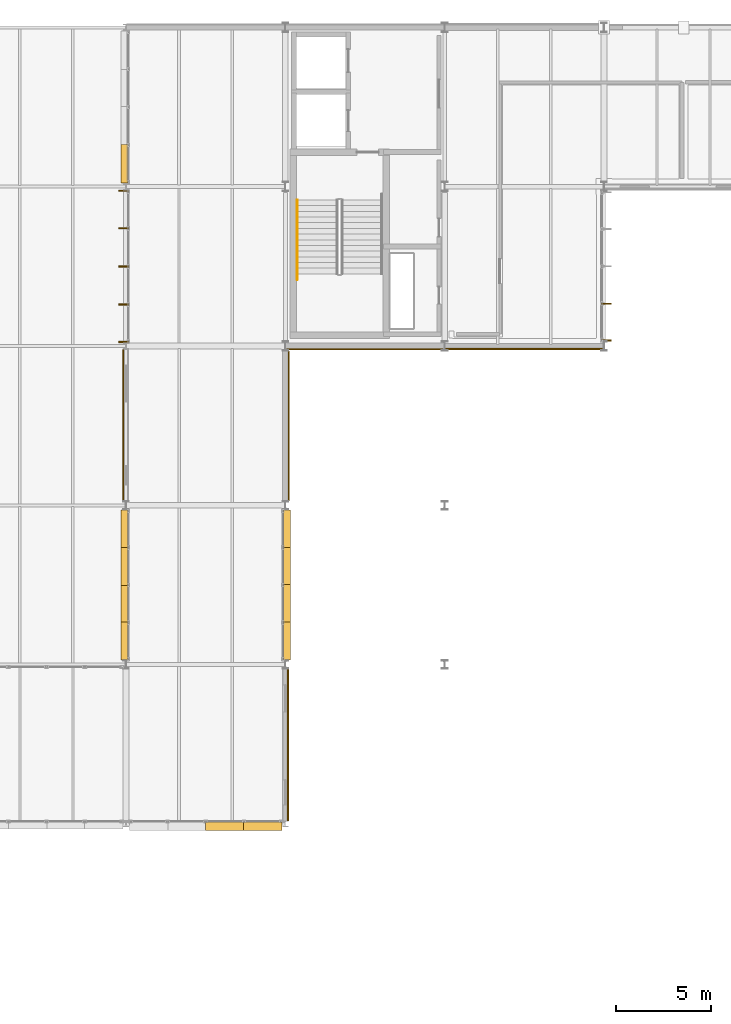
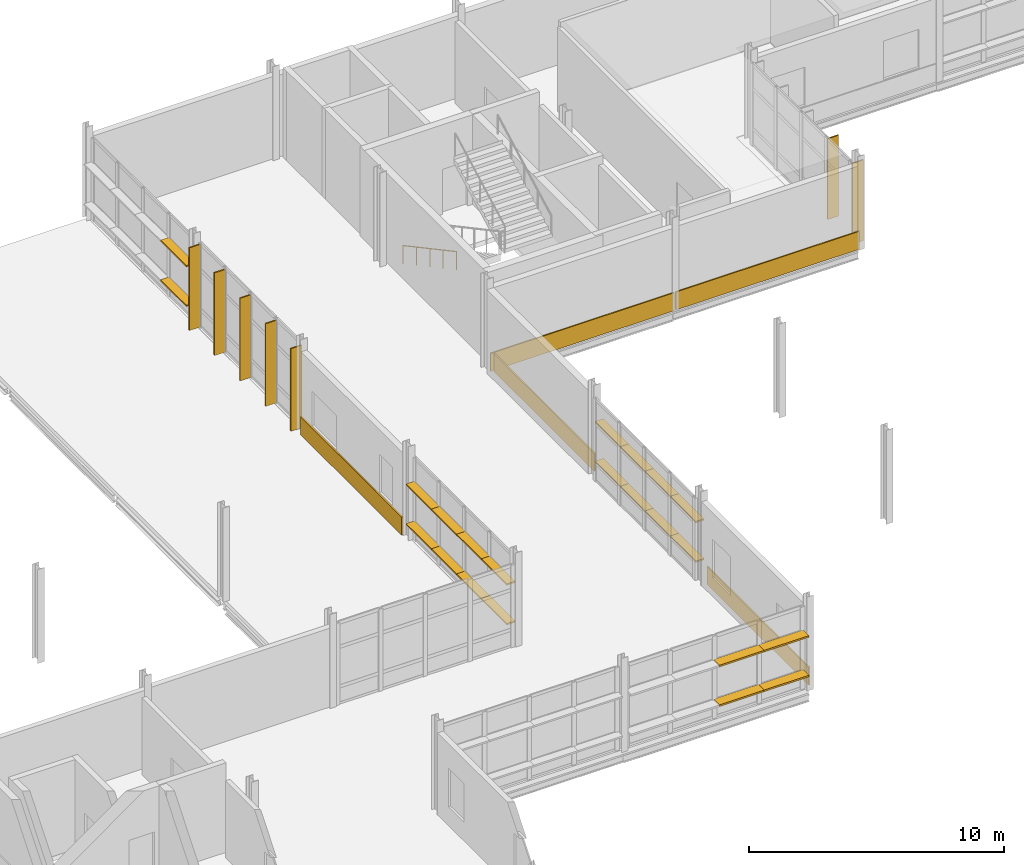
# One storey, part 116 of 129: 29 shading devices, 5 coverings, 1 railing.
"""IFC4 building model written with IfcOpenShell, lengths in metres."""

from ifc_helpers import new_model, si_unit, direction, frame, origin, origin_2d, place, context, subcontext, project, spatial, rectangle, circle, extrude, material, layer, layer_set, type_object, element, save


model = new_model("IFC4")

# Units and contexts
model_context = context("Model", 3, precision=1e-05, world=origin(), true_north=direction((0.0, 1.0)))
body_context = subcontext(model_context, "Body", "Model", "MODEL_VIEW")
ifc_project = project(units=[si_unit("LENGTHUNIT", "METRE"), si_unit("AREAUNIT", "SQUARE_METRE"), si_unit("VOLUMEUNIT", "CUBIC_METRE"), si_unit("PLANEANGLEUNIT", "RADIAN"), si_unit("MASSUNIT", "GRAM", prefix="KILO")], contexts=[model_context])

# Site, building, storey
site_placement = place(None, origin())
site = spatial("IfcSite", under=ifc_project, at=site_placement, CompositionType="ELEMENT")
building_placement = place(site_placement, origin())
building = spatial("IfcBuilding", under=site, at=building_placement, Name="Mersafa Astral City Hall", CompositionType="ELEMENT")
storey_placement = place(building_placement, frame((0.0, 0.0, 5.39990234375)))
storey = spatial("IfcBuildingStorey", under=building, at=storey_placement, Name="L01", CompositionType="ELEMENT", Elevation=5.39990234375)

# Coverings
ifc_material_1 = material(Name="Cairo Mokattam buff limestone cladding", Category="masonry")
ifc_layer = layer(ifc_material_1, 0.06005859375, Name="Cairo Mokattam buff limestone cladding")
ifc_layer_set = layer_set([ifc_layer], Name="Cairo Mokattam buff limestone cladding — ENV-COV-LIMESTONE-60")
covering_type = type_object("IfcCoveringType", Name="ENV-COV-LIMESTONE-60", PredefinedType="CLADDING", material=ifc_layer_set)
covering_1_placement = place(storey_placement, frame((33.445556640625, 105.027587890625, 0.0), z_axis=(0.0, 0.0, 1.0), x_axis=(0.0, -1.0, 0.0)))
element("IfcCovering", 1, at=covering_1_placement, inside=storey, type_object=covering_type, Name="L01 Cairo buff limestone rainscreen cladding 111", PredefinedType="CLADDING", context=body_context, shape_type="SweptSolid", body=[
    extrude(rectangle(XDim=7.952880859375, YDim=0.06005859375, at=origin_2d()), origin(), (0.0, 0.0, 1.0), 0.860107421875),
])
covering_2_placement = place(storey_placement, frame((42.139404296875, 88.16259765625, 0.0), z_axis=(0.0, 0.0, 1.0), x_axis=(0.0, 1.0, 0.0)))
element("IfcCovering", 2, at=covering_2_placement, inside=storey, type_object=covering_type, Name="L01 Cairo buff limestone rainscreen cladding 119", PredefinedType="CLADDING", context=body_context, shape_type="SweptSolid", body=[
    extrude(rectangle(XDim=7.972900390625, YDim=0.06005859375, at=origin_2d()), origin(), (0.0, 0.0, 1.0), 0.860107421875),
])
covering_3_placement = place(storey_placement, frame((42.177001953125, 104.987548828125, 0.0), z_axis=(0.0, 0.0, 1.0), x_axis=(0.0, 1.0, 0.0)))
element("IfcCovering", 3, at=covering_3_placement, inside=storey, type_object=covering_type, Name="L01 Cairo buff limestone rainscreen cladding 120", PredefinedType="CLADDING", context=body_context, shape_type="SweptSolid", body=[
    extrude(rectangle(XDim=7.873046875, YDim=0.06005859375, at=origin_2d()), origin(), (0.0, 0.0, 1.0), 0.860107421875),
])
for number, where, z_axis, x_axis, name in (
    (4, (46.199951171875, 109.030517578125, 0.0), (0.0, 0.0, 1.0), (1.0, 0.0, 0.0), "L01 Cairo buff limestone rainscreen cladding 121"),
    (5, (54.60009765625, 109.0380859375, 0.0), (0.0, 0.0, 1.0), (1.0, 0.0, 0.0), "L01 Cairo buff limestone rainscreen cladding 122"),
):
    element("IfcCovering", number, at=place(storey_placement, frame(where, z_axis=z_axis, x_axis=x_axis)), inside=storey, type_object=covering_type, Name=name, PredefinedType="CLADDING", context=body_context, shape_type="SweptSolid", body=[
        extrude(rectangle(XDim=8.323974609375, YDim=0.06005859375, at=origin_2d()), origin(), (0.0, 0.0, 1.0), 0.860107421875),
    ])

# Shading devices
ifc_material_2 = material(Name="Anodised bronze aluminium solar fin", Category="aluminium")
shading_device_type_1 = type_object("IfcShadingDeviceType", Name="ENV-SHD-FIN-500B", PredefinedType="USERDEFINED", material=ifc_material_2)
for number, where, z_axis, x_axis, name in (
    (6, (33.455078125, 117.3779296875, -0.014892578125), (0.0, 0.0, 1.0), (0.0, -1.0, 0.0), "L01 Vertical bronze solar fin 514"),
    (7, (33.455078125, 115.401611328125, -0.014892578125), (0.0, 0.0, 1.0), (0.0, -1.0, 0.0), "L01 Vertical bronze solar fin 515"),
    (8, (33.455078125, 113.39501953125, -0.014892578125), (0.0, 0.0, 1.0), (0.0, -1.0, 0.0), "L01 Vertical bronze solar fin 516"),
    (9, (33.455078125, 111.388427734375, -0.014892578125), (0.0, 0.0, 1.0), (0.0, -1.0, 0.0), "L01 Vertical bronze solar fin 517"),
    (10, (33.455078125, 109.412109375, -0.014892578125), (0.0, 0.0, 1.0), (0.0, -1.0, 0.0), "L01 Vertical bronze solar fin 518"),
):
    element("IfcShadingDevice", number, at=place(storey_placement, frame(where, z_axis=z_axis, x_axis=x_axis)), inside=storey, type_object=shading_device_type_1, Name=name, ObjectType="FIN", PredefinedType="USERDEFINED", context=body_context, shape_type="SweptSolid", body=[
        extrude(rectangle(XDim=0.06005859375, YDim=0.5, at=origin_2d()), origin(), (0.0, 0.0, 1.0), 3.9619140625),
    ])
for number, where, z_axis, x_axis, name in (
    (11, (58.945068359375, 109.491943359375, -0.014892578125), (0.0, 0.0, 1.0), (0.0, 1.0, 0.0), "L01 Vertical bronze solar fin 551"),
    (12, (58.945068359375, 111.430908203125, -0.014892578125), (0.0, 0.0, 1.0), (0.0, 1.0, 0.0), "L01 Vertical bronze solar fin 552"),
):
    element("IfcShadingDevice", number, at=place(storey_placement, frame(where, z_axis=z_axis, x_axis=x_axis)), inside=storey, type_object=shading_device_type_1, Name=name, ObjectType="FIN", PredefinedType="USERDEFINED", context=body_context, shape_type="SweptSolid", body=[
        extrude(rectangle(XDim=0.06005859375, YDim=0.5, at=origin_2d()), origin(), (0.0, 0.0, 1.0), 3.8720703125),
    ])
ifc_material_3 = material(Name="Kiln-dried cedar timber brise-soleil blade", Category="wood")
shading_device_type_2 = type_object("IfcShadingDeviceType", Name="ENV-SHD-LOUVRE-380", PredefinedType="JALOUSIE", material=ifc_material_3)
for number, where, z_axis, x_axis, name in (
    (13, (33.52001953125, 118.810302734375, 0.81494140625), (0.0, 0.0, 1.0), (0.0, -1.0, 0.0), "L01 Horizontal cedar brise-soleil louvre 509"),
    (14, (33.52001953125, 118.810302734375, 2.71484375), (0.0, 0.0, 1.0), (0.0, -1.0, 0.0), "L01 Horizontal cedar brise-soleil louvre 513"),
):
    element("IfcShadingDevice", number, at=place(storey_placement, frame(where, z_axis=z_axis, x_axis=x_axis)), inside=storey, type_object=shading_device_type_2, Name=name, PredefinedType="JALOUSIE", context=body_context, shape_type="SweptSolid", body=[
        extrude(rectangle(XDim=2.0166015625, YDim=0.3798828125, at=origin_2d()), origin(), (0.0, 0.0, 1.0), 0.070068359375),
    ])
shading_device_1_placement = place(storey_placement, frame((33.52001953125, 99.55712890625, 0.81494140625), z_axis=(0.0, 0.0, 1.0), x_axis=(0.0, -1.0, 0.0)))
element("IfcShadingDevice", 15, at=shading_device_1_placement, inside=storey, type_object=shading_device_type_2, Name="L01 Horizontal cedar brise-soleil louvre 519", PredefinedType="JALOUSIE", context=body_context, shape_type="SweptSolid", body=[
    extrude(rectangle(XDim=1.991455078125, YDim=0.3798828125, at=origin_2d()), origin(), (0.0, 0.0, 1.0), 0.070068359375),
])
for number, where, z_axis, x_axis, name in (
    (16, (33.52001953125, 97.5908203125, 0.81494140625), (0.0, 0.0, 1.0), (0.0, -1.0, 0.0), "L01 Horizontal cedar brise-soleil louvre 520"),
    (17, (33.52001953125, 95.609375, 0.81494140625), (0.0, 0.0, 1.0), (0.0, -1.0, 0.0), "L01 Horizontal cedar brise-soleil louvre 521"),
):
    element("IfcShadingDevice", number, at=place(storey_placement, frame(where, z_axis=z_axis, x_axis=x_axis)), inside=storey, type_object=shading_device_type_2, Name=name, PredefinedType="JALOUSIE", context=body_context, shape_type="SweptSolid", body=[
        extrude(rectangle(XDim=2.021484375, YDim=0.3798828125, at=origin_2d()), origin(), (0.0, 0.0, 1.0), 0.070068359375),
    ])
for number, where, z_axis, x_axis, name in (
    (18, (33.52001953125, 93.642822265625, 0.81494140625), (0.0, 0.0, 1.0), (0.0, -1.0, 0.0), "L01 Horizontal cedar brise-soleil louvre 522"),
    (19, (33.52001953125, 99.55712890625, 2.71484375), (0.0, 0.0, 1.0), (0.0, -1.0, 0.0), "L01 Horizontal cedar brise-soleil louvre 523"),
):
    element("IfcShadingDevice", number, at=place(storey_placement, frame(where, z_axis=z_axis, x_axis=x_axis)), inside=storey, type_object=shading_device_type_2, Name=name, PredefinedType="JALOUSIE", context=body_context, shape_type="SweptSolid", body=[
        extrude(rectangle(XDim=1.991455078125, YDim=0.3798828125, at=origin_2d()), origin(), (0.0, 0.0, 1.0), 0.070068359375),
    ])
for number, where, z_axis, x_axis, name in (
    (20, (33.52001953125, 97.5908203125, 2.71484375), (0.0, 0.0, 1.0), (0.0, -1.0, 0.0), "L01 Horizontal cedar brise-soleil louvre 524"),
    (21, (33.52001953125, 95.609375, 2.71484375), (0.0, 0.0, 1.0), (0.0, -1.0, 0.0), "L01 Horizontal cedar brise-soleil louvre 525"),
):
    element("IfcShadingDevice", number, at=place(storey_placement, frame(where, z_axis=z_axis, x_axis=x_axis)), inside=storey, type_object=shading_device_type_2, Name=name, PredefinedType="JALOUSIE", context=body_context, shape_type="SweptSolid", body=[
        extrude(rectangle(XDim=2.021484375, YDim=0.3798828125, at=origin_2d()), origin(), (0.0, 0.0, 1.0), 0.070068359375),
    ])
for number, where, z_axis, x_axis, name in (
    (22, (33.52001953125, 93.642822265625, 2.71484375), (0.0, 0.0, 1.0), (0.0, -1.0, 0.0), "L01 Horizontal cedar brise-soleil louvre 526"),
    (23, (42.080078125, 93.642822265625, 0.81494140625), (0.0, 0.0, 1.0), (0.0, 1.0, 0.0), "L01 Horizontal cedar brise-soleil louvre 543"),
):
    element("IfcShadingDevice", number, at=place(storey_placement, frame(where, z_axis=z_axis, x_axis=x_axis)), inside=storey, type_object=shading_device_type_2, Name=name, PredefinedType="JALOUSIE", context=body_context, shape_type="SweptSolid", body=[
        extrude(rectangle(XDim=1.991455078125, YDim=0.3798828125, at=origin_2d()), origin(), (0.0, 0.0, 1.0), 0.070068359375),
    ])
for number, where, z_axis, x_axis, name in (
    (24, (42.080078125, 95.609375, 0.81494140625), (0.0, 0.0, 1.0), (0.0, 1.0, 0.0), "L01 Horizontal cedar brise-soleil louvre 544"),
    (25, (42.080078125, 97.5908203125, 0.81494140625), (0.0, 0.0, 1.0), (0.0, 1.0, 0.0), "L01 Horizontal cedar brise-soleil louvre 545"),
):
    element("IfcShadingDevice", number, at=place(storey_placement, frame(where, z_axis=z_axis, x_axis=x_axis)), inside=storey, type_object=shading_device_type_2, Name=name, PredefinedType="JALOUSIE", context=body_context, shape_type="SweptSolid", body=[
        extrude(rectangle(XDim=2.021484375, YDim=0.3798828125, at=origin_2d()), origin(), (0.0, 0.0, 1.0), 0.070068359375),
    ])
for number, where, z_axis, x_axis, name in (
    (26, (42.080078125, 99.55712890625, 0.81494140625), (0.0, 0.0, 1.0), (0.0, 1.0, 0.0), "L01 Horizontal cedar brise-soleil louvre 546"),
    (27, (42.080078125, 93.642822265625, 2.71484375), (0.0, 0.0, 1.0), (0.0, 1.0, 0.0), "L01 Horizontal cedar brise-soleil louvre 547"),
):
    element("IfcShadingDevice", number, at=place(storey_placement, frame(where, z_axis=z_axis, x_axis=x_axis)), inside=storey, type_object=shading_device_type_2, Name=name, PredefinedType="JALOUSIE", context=body_context, shape_type="SweptSolid", body=[
        extrude(rectangle(XDim=1.991455078125, YDim=0.3798828125, at=origin_2d()), origin(), (0.0, 0.0, 1.0), 0.070068359375),
    ])
for number, where, z_axis, x_axis, name in (
    (28, (42.080078125, 95.609375, 2.71484375), (0.0, 0.0, 1.0), (0.0, 1.0, 0.0), "L01 Horizontal cedar brise-soleil louvre 548"),
    (29, (42.080078125, 97.5908203125, 2.71484375), (0.0, 0.0, 1.0), (0.0, 1.0, 0.0), "L01 Horizontal cedar brise-soleil louvre 549"),
):
    element("IfcShadingDevice", number, at=place(storey_placement, frame(where, z_axis=z_axis, x_axis=x_axis)), inside=storey, type_object=shading_device_type_2, Name=name, PredefinedType="JALOUSIE", context=body_context, shape_type="SweptSolid", body=[
        extrude(rectangle(XDim=2.021484375, YDim=0.3798828125, at=origin_2d()), origin(), (0.0, 0.0, 1.0), 0.070068359375),
    ])
shading_device_2_placement = place(storey_placement, frame((42.080078125, 99.55712890625, 2.71484375), z_axis=(0.0, 0.0, 1.0), x_axis=(0.0, 1.0, 0.0)))
element("IfcShadingDevice", 30, at=shading_device_2_placement, inside=storey, type_object=shading_device_type_2, Name="L01 Horizontal cedar brise-soleil louvre 550", PredefinedType="JALOUSIE", context=body_context, shape_type="SweptSolid", body=[
    extrude(rectangle(XDim=1.991455078125, YDim=0.3798828125, at=origin_2d()), origin(), (0.0, 0.0, 1.0), 0.070068359375),
])
shading_device_type_3 = type_object("IfcShadingDeviceType", Name="ENV-SHD-LOUVRE-450", PredefinedType="JALOUSIE", material=ifc_material_3)
shading_device_3_placement = place(storey_placement, frame((38.8095703125, 83.885009765625, 0.81005859375), z_axis=(0.0, 0.0, 1.0), x_axis=(1.0, 0.0, 0.0)))
element("IfcShadingDevice", 31, at=shading_device_3_placement, inside=storey, type_object=shading_device_type_3, Name="L01 Horizontal cedar brise-soleil louvre 537", PredefinedType="JALOUSIE", context=body_context, shape_type="SweptSolid", body=[
    extrude(rectangle(XDim=2.05908203125, YDim=0.449951171875, at=origin_2d()), origin(), (0.0, 0.0, 1.0), 0.080078125),
])
shading_device_4_placement = place(storey_placement, frame((40.8134765625, 83.885009765625, 0.81005859375), z_axis=(0.0, 0.0, 1.0), x_axis=(1.0, 0.0, 0.0)))
element("IfcShadingDevice", 32, at=shading_device_4_placement, inside=storey, type_object=shading_device_type_3, Name="L01 Horizontal cedar brise-soleil louvre 538", PredefinedType="JALOUSIE", context=body_context, shape_type="SweptSolid", body=[
    extrude(rectangle(XDim=2.029052734375, YDim=0.449951171875, at=origin_2d()), origin(), (0.0, 0.0, 1.0), 0.080078125),
])
shading_device_5_placement = place(storey_placement, frame((38.8095703125, 83.885009765625, 2.7099609375), z_axis=(0.0, 0.0, 1.0), x_axis=(1.0, 0.0, 0.0)))
element("IfcShadingDevice", 33, at=shading_device_5_placement, inside=storey, type_object=shading_device_type_3, Name="L01 Horizontal cedar brise-soleil louvre 541", PredefinedType="JALOUSIE", context=body_context, shape_type="SweptSolid", body=[
    extrude(rectangle(XDim=2.05908203125, YDim=0.449951171875, at=origin_2d()), origin(), (0.0, 0.0, 1.0), 0.080078125),
])
shading_device_6_placement = place(storey_placement, frame((40.8134765625, 83.885009765625, 2.7099609375), z_axis=(0.0, 0.0, 1.0), x_axis=(1.0, 0.0, 0.0)))
element("IfcShadingDevice", 34, at=shading_device_6_placement, inside=storey, type_object=shading_device_type_3, Name="L01 Horizontal cedar brise-soleil louvre 542", PredefinedType="JALOUSIE", context=body_context, shape_type="SweptSolid", body=[
    extrude(rectangle(XDim=2.029052734375, YDim=0.449951171875, at=origin_2d()), origin(), (0.0, 0.0, 1.0), 0.080078125),
])

# Railing
ifc_material_4 = material(Name="Brushed stainless steel tubular handrail", Category="steel")
railing_type = type_object("IfcRailingType", Name="HANDRAIL", PredefinedType="HANDRAIL", material=ifc_material_4)
railing_placement = place(storey_placement, frame((42.6298828125, 116.89990234375, 0.160888671875)))
element("IfcRailing", 35, at=railing_placement, inside=storey, type_object=railing_type, Name="L01 ST3 stair handrail 1", PredefinedType="HANDRAIL", context=body_context, shape_type="SweptSolid", body=[
    extrude(circle(Radius=0.02392578125, at=origin_2d()), frame((0.0, 0.0, 0.8759765625), z_axis=(0.0, -0.881221683169, 0.472703231546), x_axis=(1.0, 0.0, 0.0)), (0.0, 0.0, 1.0), 4.76611328125),
    extrude(circle(Radius=0.02099609375, at=origin_2d()), origin(), (0.0, 0.0, 1.0), 0.851806640625),
    extrude(circle(Radius=0.02099609375, at=origin_2d()), frame((0.0, -1.050048828125, 0.563232421875)), (0.0, 0.0, 1.0), 0.851806640625),
    extrude(circle(Radius=0.02099609375, at=origin_2d()), frame((0.0, -2.10009765625, 1.12646484375)), (0.0, 0.0, 1.0), 0.851806640625),
    extrude(circle(Radius=0.02099609375, at=origin_2d()), frame((0.0, -3.14990234375, 1.689697265625)), (0.0, 0.0, 1.0), 0.851806640625),
    extrude(circle(Radius=0.02099609375, at=origin_2d()), frame((0.0, -4.199951171875, 2.2529296875)), (0.0, 0.0, 1.0), 0.851806640625),
])

save(model, "model.ifc")
